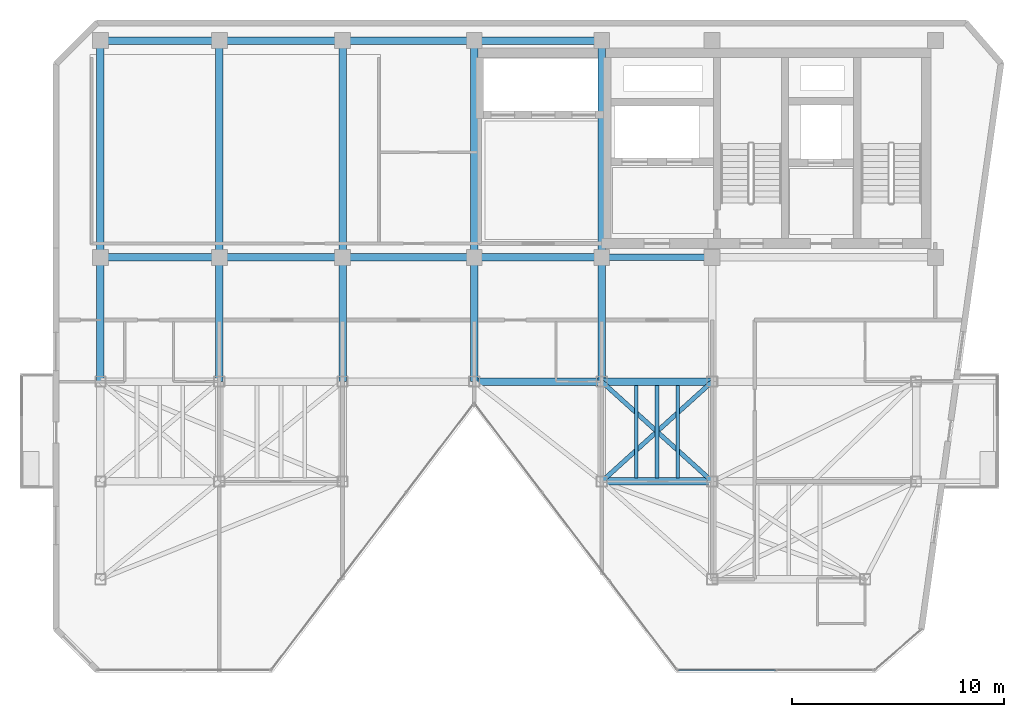
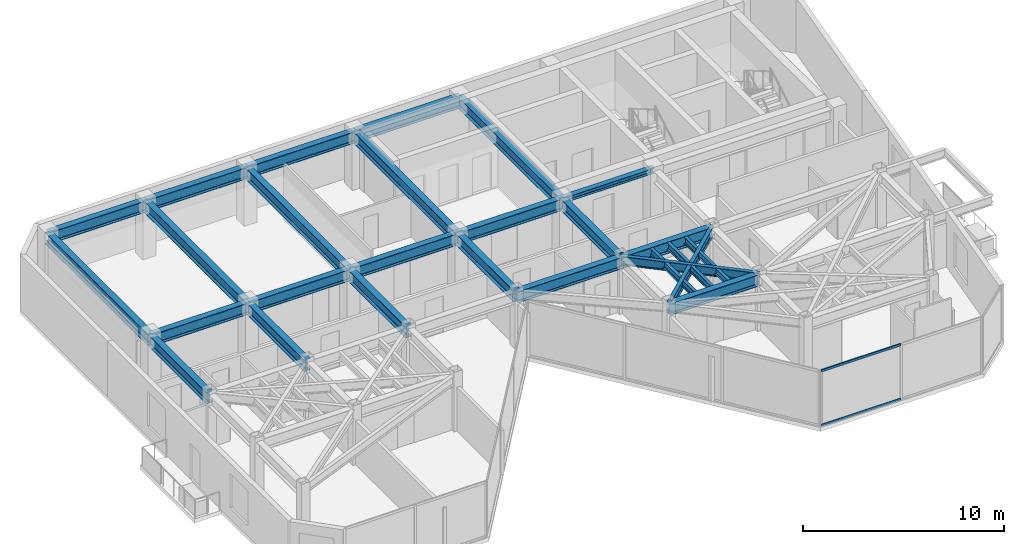
# One storey, part 8 of 17: 27 beams, 2 members, 1 element without a shape of its own.
"""IFC4 building model written with IfcOpenShell, lengths in metres."""

from ifc_helpers import new_model, si_unit, direction, frame, origin, origin_2d, place, context, subcontext, project, spatial, hollow_rectangle, i_section, extrude, material, layer, layer_set, material_profile, profile_set, type_object, element, aggregate, save


model = new_model("IFC4")

# Units and contexts
model_context = context("Model", 3, precision=1e-05, world=origin(), true_north=direction((0.0, 1.0)))
body_context = subcontext(model_context, "Body", "Model", "MODEL_VIEW")
ifc_project = project(units=[si_unit("LENGTHUNIT", "METRE"), si_unit("AREAUNIT", "SQUARE_METRE"), si_unit("VOLUMEUNIT", "CUBIC_METRE"), si_unit("PLANEANGLEUNIT", "RADIAN"), si_unit("MASSUNIT", "GRAM", prefix="KILO")], contexts=[model_context])

# Site, building, storey
site_placement = place(None, origin())
site = spatial("IfcSite", under=ifc_project, at=site_placement, CompositionType="ELEMENT")
building_placement = place(site_placement, origin())
building = spatial("IfcBuilding", under=site, at=building_placement, Name="Kravanh Interchange Tower", CompositionType="ELEMENT")
storey_placement = place(building_placement, frame((0.0, 0.0, 256.199951171875)))
storey = spatial("IfcBuildingStorey", under=building, at=storey_placement, Name="L62", CompositionType="ELEMENT", Elevation=256.199951171875)

# Curtain wall, members
ifc_material_1 = material(Name="Anodised Bronze Aluminium", Category="aluminium")
ifc_layer = layer(ifc_material_1, 0.179931640625)
ifc_layer_set = layer_set([ifc_layer], Name="Unitised Curtain Wall System CW-HTL Luxury Hotel")
curtain_wall_type = type_object("IfcCurtainWallType", Name="Unitised Curtain Wall System CW-HTL Luxury Hotel", PredefinedType="NOTDEFINED", material=ifc_layer_set)
curtain_wall_placement = place(storey_placement, origin())
curtain_wall = element("IfcCurtainWall", 1, at=curtain_wall_placement, inside=storey, type_object=curtain_wall_type, Name="L62 Unitised Curtain Wall CW-L62-02", PredefinedType="NOTDEFINED")
ifc_material_2 = material(Name="Anodised Bronze Aluminium", Category="aluminium")
ifc_material_profile_1 = material_profile(ifc_material_2, hollow_rectangle(XDim=0.06005859375, YDim=0.139892578125, WallThickness=0.00390625, at=origin_2d()), Name="ALU60X140X4")
ifc_profile_set_1 = profile_set([ifc_material_profile_1], Name="Anodised Bronze Aluminium")
member_type = type_object("IfcMemberType", Name="Curtain Wall Transom ALU60X140X4 Bronze", PredefinedType="USERDEFINED", material=ifc_profile_set_1)
member_1_placement = place(storey_placement, frame((58.969970703125, 17.919921875, 0.030029296875), z_axis=(-1.0, 0.0, 0.0), x_axis=(0.0, -1.0, 0.0)))
member_1 = element("IfcMember", 2, at=member_1_placement, type_object=member_type, Name="CW-HTL transom 2.1", ObjectType="TRANSOM", PredefinedType="USERDEFINED", context=body_context, shape_type="SweptSolid", body=[
    extrude(hollow_rectangle(XDim=0.06005859375, YDim=0.139892578125, WallThickness=0.00390625, at=origin_2d()), origin(), (0.0, 0.0, 1.0), 4.550537109375),
])
member_2_placement = place(storey_placement, frame((58.969970703125, 17.919921875, 3.330078125), z_axis=(-1.0, 0.0, 0.0), x_axis=(0.0, -1.0, 0.0)))
member_2 = element("IfcMember", 3, at=member_2_placement, type_object=member_type, Name="CW-HTL transom 2.2", ObjectType="TRANSOM", PredefinedType="USERDEFINED", context=body_context, shape_type="SweptSolid", body=[
    extrude(hollow_rectangle(XDim=0.06005859375, YDim=0.139892578125, WallThickness=0.00390625, at=origin_2d()), origin(), (0.0, 0.0, 1.0), 4.550537109375),
])
aggregate(curtain_wall, [member_1, member_2])

# Beams
ifc_material_3 = material(Name="Structural Steel S355", Category="steel")
ifc_material_profile_2 = material_profile(ifc_material_3, i_section(OverallWidth=0.35498046875, OverallDepth=0.696044921875, WebThickness=0.015380859375, FlangeThickness=0.02490234375, FilletRadius=0.02392578125, at=origin_2d()), Name="W27X146")
ifc_profile_set_2 = profile_set([ifc_material_profile_2], Name="Structural Steel S355")
beam_type_1 = type_object("IfcBeamType", Name="Floor Beam W27X146 Structural Steel S355", PredefinedType="BEAM", material=ifc_profile_set_2)
beam_1_placement = place(storey_placement, frame((44.800048828125, 31.5, 3.011962890625), z_axis=(0.0, 1.0, 0.0), x_axis=(-1.0, 0.0, 0.0)))
element("IfcBeam", 4, at=beam_1_placement, inside=storey, type_object=beam_type_1, Name="L62 Primary Floor Girder 1", PredefinedType="BEAM", context=body_context, shape_type="SweptSolid", body=[
    extrude(i_section(OverallWidth=0.35498046875, OverallDepth=0.696044921875, WebThickness=0.015380859375, FlangeThickness=0.02490234375, FilletRadius=0.02392578125, at=origin_2d()), origin(), (0.0, 0.0, 1.0), 5.85009765625),
])
beam_2_placement = place(storey_placement, frame((44.800048828125, 31.5, 3.011962890625), z_axis=(1.0, 0.0, 0.0), x_axis=(0.0, 1.0, 0.0)))
element("IfcBeam", 5, at=beam_2_placement, inside=storey, type_object=beam_type_1, Name="L62 Primary Floor Girder 2", PredefinedType="BEAM", context=body_context, shape_type="SweptSolid", body=[
    extrude(i_section(OverallWidth=0.35498046875, OverallDepth=0.696044921875, WebThickness=0.015380859375, FlangeThickness=0.02490234375, FilletRadius=0.02392578125, at=origin_2d()), origin(), (0.0, 0.0, 1.0), 6.0),
])
beam_3_placement = place(storey_placement, frame((50.800048828125, 31.5, 3.011962890625), z_axis=(1.0, 0.0, 0.0), x_axis=(0.0, 1.0, 0.0)))
element("IfcBeam", 6, at=beam_3_placement, inside=storey, type_object=beam_type_1, Name="L62 Primary Floor Girder 6", PredefinedType="BEAM", context=body_context, shape_type="SweptSolid", body=[
    extrude(i_section(OverallWidth=0.35498046875, OverallDepth=0.696044921875, WebThickness=0.015380859375, FlangeThickness=0.02490234375, FilletRadius=0.02392578125, at=origin_2d()), origin(), (0.0, 0.0, 1.0), 5.199951171875),
])
for number, where, z_axis, x_axis, name in (
    (7, (50.800048828125, 31.5, 3.011962890625), (0.0, 1.0, 0.0), (-1.0, 0.0, 0.0), "L62 Primary Floor Girder 7"),
    (8, (38.60009765625, 31.5, 3.011962890625), (0.0, 1.0, 0.0), (-1.0, 0.0, 0.0), "L62 Primary Floor Girder 19"),
    (9, (32.800048828125, 31.5, 3.011962890625), (0.0, 1.0, 0.0), (-1.0, 0.0, 0.0), "L62 Primary Floor Girder 23"),
    (10, (27.199951171875, 31.5, 3.011962890625), (0.0, 1.0, 0.0), (-1.0, 0.0, 0.0), "L62 Primary Floor Girder 26"),
):
    element("IfcBeam", number, at=place(storey_placement, frame(where, z_axis=z_axis, x_axis=x_axis)), inside=storey, type_object=beam_type_1, Name=name, PredefinedType="BEAM", context=body_context, shape_type="SweptSolid", body=[
        extrude(i_section(OverallWidth=0.35498046875, OverallDepth=0.696044921875, WebThickness=0.015380859375, FlangeThickness=0.02490234375, FilletRadius=0.02392578125, at=origin_2d()), origin(), (0.0, 0.0, 1.0), 5.85009765625),
    ])
beam_4_placement = place(storey_placement, frame((50.800048828125, 26.800048828125, 3.011962890625), z_axis=(1.0, 0.0, 0.0), x_axis=(0.0, 1.0, 0.0)))
element("IfcBeam", 11, at=beam_4_placement, inside=storey, type_object=beam_type_1, Name="L62 Primary Floor Girder 31", PredefinedType="BEAM", context=body_context, shape_type="SweptSolid", body=[
    extrude(i_section(OverallWidth=0.35498046875, OverallDepth=0.696044921875, WebThickness=0.015380859375, FlangeThickness=0.02490234375, FilletRadius=0.02392578125, at=origin_2d()), origin(), (0.0, 0.0, 1.0), 5.199951171875),
])
beam_5_placement = place(storey_placement, frame((50.800048828125, 47.550048828125, 3.011962890625), z_axis=(-1.0, 0.0, 0.0), x_axis=(0.0, -1.0, 0.0)))
element("IfcBeam", 12, at=beam_5_placement, inside=storey, type_object=beam_type_1, Name="L62 Primary Floor Girder 49", PredefinedType="BEAM", context=body_context, shape_type="SweptSolid", body=[
    extrude(i_section(OverallWidth=0.35498046875, OverallDepth=0.696044921875, WebThickness=0.015380859375, FlangeThickness=0.02490234375, FilletRadius=0.02392578125, at=origin_2d()), origin(), (0.0, 0.0, 1.0), 6.0),
])
beam_6_placement = place(storey_placement, frame((50.800048828125, 47.550048828125, 3.011962890625), z_axis=(0.0, -1.0, 0.0), x_axis=(1.0, 0.0, 0.0)))
element("IfcBeam", 13, at=beam_6_placement, inside=storey, type_object=beam_type_1, Name="L62 Primary Floor Girder 50", PredefinedType="BEAM", context=body_context, shape_type="SweptSolid", body=[
    extrude(i_section(OverallWidth=0.35498046875, OverallDepth=0.696044921875, WebThickness=0.015380859375, FlangeThickness=0.02490234375, FilletRadius=0.02392578125, at=origin_2d()), origin(), (0.0, 0.0, 1.0), 10.199951171875),
])
beam_7_placement = place(storey_placement, frame((50.800048828125, 37.35009765625, 3.011962890625), z_axis=(-1.0, 0.0, 0.0), x_axis=(0.0, -1.0, 0.0)))
element("IfcBeam", 14, at=beam_7_placement, inside=storey, type_object=beam_type_1, Name="L62 Primary Floor Girder 51", PredefinedType="BEAM", context=body_context, shape_type="SweptSolid", body=[
    extrude(i_section(OverallWidth=0.35498046875, OverallDepth=0.696044921875, WebThickness=0.015380859375, FlangeThickness=0.02490234375, FilletRadius=0.02392578125, at=origin_2d()), origin(), (0.0, 0.0, 1.0), 6.0),
])
beam_8_placement = place(storey_placement, frame((44.800048828125, 37.35009765625, 3.011962890625), z_axis=(-1.0, 0.0, 0.0), x_axis=(0.0, -1.0, 0.0)))
element("IfcBeam", 15, at=beam_8_placement, inside=storey, type_object=beam_type_1, Name="L62 Primary Floor Girder 52", PredefinedType="BEAM", context=body_context, shape_type="SweptSolid", body=[
    extrude(i_section(OverallWidth=0.35498046875, OverallDepth=0.696044921875, WebThickness=0.015380859375, FlangeThickness=0.02490234375, FilletRadius=0.02392578125, at=origin_2d()), origin(), (0.0, 0.0, 1.0), 6.199951171875),
])
beam_9_placement = place(storey_placement, frame((44.800048828125, 37.35009765625, 3.011962890625), z_axis=(0.0, 1.0, 0.0), x_axis=(-1.0, 0.0, 0.0)))
element("IfcBeam", 16, at=beam_9_placement, inside=storey, type_object=beam_type_1, Name="L62 Primary Floor Girder 53", PredefinedType="BEAM", context=body_context, shape_type="SweptSolid", body=[
    extrude(i_section(OverallWidth=0.35498046875, OverallDepth=0.696044921875, WebThickness=0.015380859375, FlangeThickness=0.02490234375, FilletRadius=0.02392578125, at=origin_2d()), origin(), (0.0, 0.0, 1.0), 10.199951171875),
])
beam_10_placement = place(storey_placement, frame((44.800048828125, 47.550048828125, 3.011962890625), z_axis=(-1.0, 0.0, 0.0), x_axis=(0.0, -1.0, 0.0)))
element("IfcBeam", 17, at=beam_10_placement, inside=storey, type_object=beam_type_1, Name="L62 Primary Floor Girder 54", PredefinedType="BEAM", context=body_context, shape_type="SweptSolid", body=[
    extrude(i_section(OverallWidth=0.35498046875, OverallDepth=0.696044921875, WebThickness=0.015380859375, FlangeThickness=0.02490234375, FilletRadius=0.02392578125, at=origin_2d()), origin(), (0.0, 0.0, 1.0), 6.199951171875),
])
beam_11_placement = place(storey_placement, frame((38.60009765625, 37.35009765625, 3.011962890625), z_axis=(-1.0, 0.0, 0.0), x_axis=(0.0, -1.0, 0.0)))
element("IfcBeam", 18, at=beam_11_placement, inside=storey, type_object=beam_type_1, Name="L62 Primary Floor Girder 55", PredefinedType="BEAM", context=body_context, shape_type="SweptSolid", body=[
    extrude(i_section(OverallWidth=0.35498046875, OverallDepth=0.696044921875, WebThickness=0.015380859375, FlangeThickness=0.02490234375, FilletRadius=0.02392578125, at=origin_2d()), origin(), (0.0, 0.0, 1.0), 5.800048828125),
])
beam_12_placement = place(storey_placement, frame((38.60009765625, 37.35009765625, 3.011962890625), z_axis=(0.0, 1.0, 0.0), x_axis=(-1.0, 0.0, 0.0)))
element("IfcBeam", 19, at=beam_12_placement, inside=storey, type_object=beam_type_1, Name="L62 Primary Floor Girder 56", PredefinedType="BEAM", context=body_context, shape_type="SweptSolid", body=[
    extrude(i_section(OverallWidth=0.35498046875, OverallDepth=0.696044921875, WebThickness=0.015380859375, FlangeThickness=0.02490234375, FilletRadius=0.02392578125, at=origin_2d()), origin(), (0.0, 0.0, 1.0), 10.199951171875),
])
beam_13_placement = place(storey_placement, frame((38.60009765625, 47.550048828125, 3.011962890625), z_axis=(-1.0, 0.0, 0.0), x_axis=(0.0, -1.0, 0.0)))
element("IfcBeam", 20, at=beam_13_placement, inside=storey, type_object=beam_type_1, Name="L62 Primary Floor Girder 57", PredefinedType="BEAM", context=body_context, shape_type="SweptSolid", body=[
    extrude(i_section(OverallWidth=0.35498046875, OverallDepth=0.696044921875, WebThickness=0.015380859375, FlangeThickness=0.02490234375, FilletRadius=0.02392578125, at=origin_2d()), origin(), (0.0, 0.0, 1.0), 5.800048828125),
])
beam_14_placement = place(storey_placement, frame((32.800048828125, 37.35009765625, 3.011962890625), z_axis=(-1.0, 0.0, 0.0), x_axis=(0.0, -1.0, 0.0)))
element("IfcBeam", 21, at=beam_14_placement, inside=storey, type_object=beam_type_1, Name="L62 Primary Floor Girder 58", PredefinedType="BEAM", context=body_context, shape_type="SweptSolid", body=[
    extrude(i_section(OverallWidth=0.35498046875, OverallDepth=0.696044921875, WebThickness=0.015380859375, FlangeThickness=0.02490234375, FilletRadius=0.02392578125, at=origin_2d()), origin(), (0.0, 0.0, 1.0), 5.60009765625),
])
beam_15_placement = place(storey_placement, frame((32.800048828125, 37.35009765625, 3.011962890625), z_axis=(0.0, 1.0, 0.0), x_axis=(-1.0, 0.0, 0.0)))
element("IfcBeam", 22, at=beam_15_placement, inside=storey, type_object=beam_type_1, Name="L62 Primary Floor Girder 59", PredefinedType="BEAM", context=body_context, shape_type="SweptSolid", body=[
    extrude(i_section(OverallWidth=0.35498046875, OverallDepth=0.696044921875, WebThickness=0.015380859375, FlangeThickness=0.02490234375, FilletRadius=0.02392578125, at=origin_2d()), origin(), (0.0, 0.0, 1.0), 10.199951171875),
])
beam_16_placement = place(storey_placement, frame((32.800048828125, 47.550048828125, 3.011962890625), z_axis=(-1.0, 0.0, 0.0), x_axis=(0.0, -1.0, 0.0)))
element("IfcBeam", 23, at=beam_16_placement, inside=storey, type_object=beam_type_1, Name="L62 Primary Floor Girder 60", PredefinedType="BEAM", context=body_context, shape_type="SweptSolid", body=[
    extrude(i_section(OverallWidth=0.35498046875, OverallDepth=0.696044921875, WebThickness=0.015380859375, FlangeThickness=0.02490234375, FilletRadius=0.02392578125, at=origin_2d()), origin(), (0.0, 0.0, 1.0), 5.60009765625),
])
beam_17_placement = place(storey_placement, frame((27.199951171875, 37.35009765625, 3.011962890625), z_axis=(0.0, 1.0, 0.0), x_axis=(-1.0, 0.0, 0.0)))
element("IfcBeam", 24, at=beam_17_placement, inside=storey, type_object=beam_type_1, Name="L62 Primary Floor Girder 61", PredefinedType="BEAM", context=body_context, shape_type="SweptSolid", body=[
    extrude(i_section(OverallWidth=0.35498046875, OverallDepth=0.696044921875, WebThickness=0.015380859375, FlangeThickness=0.02490234375, FilletRadius=0.02392578125, at=origin_2d()), origin(), (0.0, 0.0, 1.0), 10.199951171875),
])
ifc_material_4 = material(Name="Structural Steel S355", Category="steel")
ifc_material_profile_3 = material_profile(ifc_material_4, i_section(OverallWidth=0.177978515625, OverallDepth=0.406005859375, WebThickness=0.0078125, FlangeThickness=0.0126953125, FilletRadius=0.01611328125, at=origin_2d()), Name="W16X40")
ifc_profile_set_3 = profile_set([ifc_material_profile_3], Name="Structural Steel S355")
beam_type_2 = type_object("IfcBeamType", Name="Floor Joist W16X40 Structural Steel S355", PredefinedType="JOIST", material=ifc_profile_set_3)
for number, where, z_axis, x_axis, name in (
    (25, (52.425048828125, 26.972412109375, 3.156982421875), (0.0, 1.0, 0.0), (-1.0, 0.0, 0.0), "L62 Secondary Floor Joist 10"),
    (26, (53.39990234375, 26.972412109375, 3.156982421875), (0.0, 1.0, 0.0), (-1.0, 0.0, 0.0), "L62 Secondary Floor Joist 11"),
    (27, (54.375, 26.972412109375, 3.156982421875), (0.0, 1.0, 0.0), (-1.0, 0.0, 0.0), "L62 Secondary Floor Joist 12"),
):
    element("IfcBeam", number, at=place(storey_placement, frame(where, z_axis=z_axis, x_axis=x_axis)), inside=storey, type_object=beam_type_2, Name=name, PredefinedType="JOIST", context=body_context, shape_type="SweptSolid", body=[
        extrude(i_section(OverallWidth=0.177978515625, OverallDepth=0.406005859375, WebThickness=0.0078125, FlangeThickness=0.0126953125, FilletRadius=0.01611328125, at=origin_2d()), origin(), (0.0, 0.0, 1.0), 4.35498046875),
    ])
ifc_material_5 = material(Name="Structural Steel S355", Category="steel")
ifc_material_profile_4 = material_profile(ifc_material_5, i_section(OverallWidth=0.304931640625, OverallDepth=0.306884765625, WebThickness=0.010009765625, FlangeThickness=0.015380859375, FilletRadius=0.014892578125, at=origin_2d()), Name="W12X65")
ifc_profile_set_4 = profile_set([ifc_material_profile_4], Name="Structural Steel S355")
beam_type_3 = type_object("IfcBeamType", Name="Floor Lintel W12X65 Structural Steel S355", PredefinedType="LINTEL", material=ifc_profile_set_4)
beam_18_placement = place(storey_placement, frame((50.800048828125, 37.35009765625, 3.20654296875), z_axis=(1.0, 0.0, 0.0), x_axis=(0.0, 1.0, 0.0)))
element("IfcBeam", 28, at=beam_18_placement, inside=storey, type_object=beam_type_3, Name="L62 Core Coupling Lintel 1", PredefinedType="LINTEL", context=body_context, shape_type="SweptSolid", body=[
    extrude(i_section(OverallWidth=0.304931640625, OverallDepth=0.306884765625, WebThickness=0.010009765625, FlangeThickness=0.015380859375, FilletRadius=0.014892578125, at=origin_2d()), origin(), (0.0, 0.0, 1.0), 5.199951171875),
])
ifc_material_6 = material(Name="Structural Steel S355", Category="steel")
ifc_material_profile_5 = material_profile(ifc_material_6, i_section(OverallWidth=0.2099609375, OverallDepth=0.537109375, WebThickness=0.010986328125, FlangeThickness=0.017333984375, FilletRadius=0.02001953125, at=origin_2d()), Name="W21X68")
ifc_profile_set_5 = profile_set([ifc_material_profile_5], Name="Structural Steel S355")
beam_type_4 = type_object("IfcBeamType", Name="Floor Spandrel W21X68 Structural Steel S355", PredefinedType="SPANDREL", material=ifc_profile_set_5)
for number, where, z_axis, x_axis, name in (
    (29, (50.800048828125, 31.5, 3.091552734375), (0.741874009795, -0.670539300557, 0.0), (0.670539300557, 0.741874009795, 0.0), "L62 Perimeter Spandrel 8"),
    (30, (56.0, 31.5, 3.091552734375), (-0.741874009795, -0.670539300557, 0.0), (0.670539300557, -0.741874009795, 0.0), "L62 Perimeter Spandrel 11"),
):
    element("IfcBeam", number, at=place(storey_placement, frame(where, z_axis=z_axis, x_axis=x_axis)), inside=storey, type_object=beam_type_4, Name=name, PredefinedType="SPANDREL", context=body_context, shape_type="SweptSolid", body=[
        extrude(i_section(OverallWidth=0.2099609375, OverallDepth=0.537109375, WebThickness=0.010986328125, FlangeThickness=0.017333984375, FilletRadius=0.02001953125, at=origin_2d()), origin(), (0.0, 0.0, 1.0), 7.00927734375),
    ])

save(model, "model.ifc")
